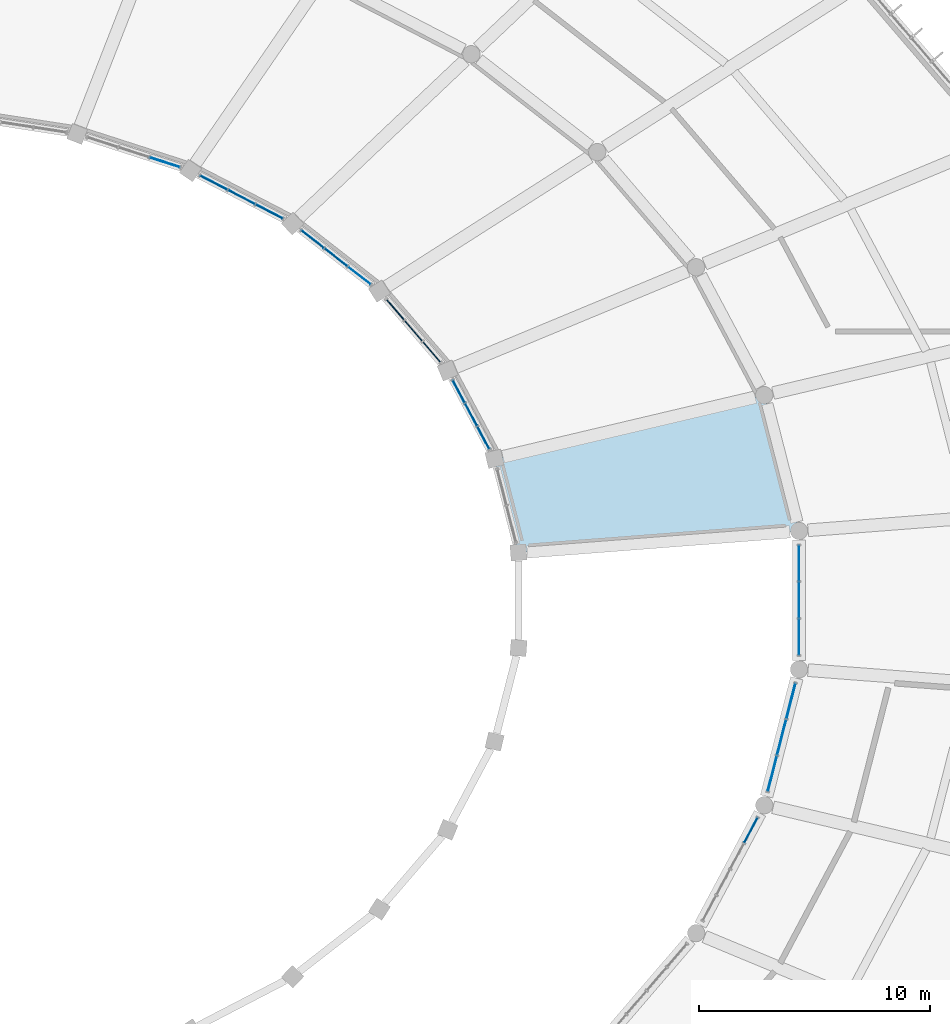
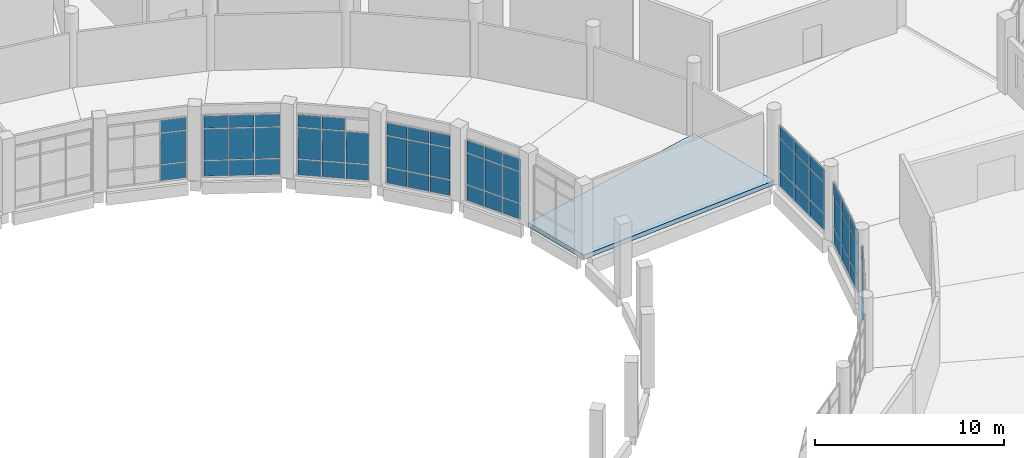
# One storey, part 98 of 179: 59 plates, 1 slab, 8 elements without a shape of their own.
"""IFC4 building model written with IfcOpenShell, lengths in metres."""

from ifc_helpers import new_model, si_unit, direction, frame, origin, origin_2d, place, context, subcontext, project, spatial, polyline, rectangle, outline, extrude, material, layer, layer_set, type_object, element, aggregate, save


model = new_model("IFC4")

# Units and contexts
model_context = context("Model", 3, precision=1e-05, world=origin(), true_north=direction((0.0, 1.0)))
body_context = subcontext(model_context, "Body", "Model", "MODEL_VIEW")
ifc_project = project(units=[si_unit("LENGTHUNIT", "METRE"), si_unit("AREAUNIT", "SQUARE_METRE"), si_unit("VOLUMEUNIT", "CUBIC_METRE"), si_unit("PLANEANGLEUNIT", "RADIAN"), si_unit("MASSUNIT", "GRAM", prefix="KILO")], contexts=[model_context])

# Site, building, storey
site_placement = place(None, origin())
site = spatial("IfcSite", under=ifc_project, at=site_placement, CompositionType="ELEMENT")
building_placement = place(site_placement, origin())
building = spatial("IfcBuilding", under=site, at=building_placement, Name="Corvandel Quay Wholesale Market", CompositionType="ELEMENT")
storey_placement = place(building_placement, frame((0.0, 0.0, 6.0)))
storey = spatial("IfcBuildingStorey", under=building, at=storey_placement, Name="L01", CompositionType="ELEMENT", Elevation=6.0)

# Curtain wall, plates
ifc_material_1 = material(Name="Bronze anodised aluminium and low-E insulated glazing", Category="aluminium")
ifc_layer_1 = layer(ifc_material_1, 0.162109375)
ifc_layer_set_1 = layer_set([ifc_layer_1], Name="Bronze anodised aluminium and low-E insulated glazing")
curtain_wall_type_1 = type_object("IfcCurtainWallType", Name="Stick Curtain Wall System CW16 H4440", PredefinedType="NOTDEFINED", material=ifc_layer_set_1)
curtain_wall_1_placement = place(storey_placement, origin())
curtain_wall_1 = element("IfcCurtainWall", 1, at=curtain_wall_1_placement, inside=storey, type_object=curtain_wall_type_1, Name="Curtain Wall CW-0004", PredefinedType="NOTDEFINED")
ifc_material_2 = material(Name="Solar-control low-E insulated glazing", Category="glass")
ifc_layer_2 = layer(ifc_material_2, 0.033935546875)
ifc_layer_set_2 = layer_set([ifc_layer_2], Name="Solar-control low-E insulated glazing")
plate_type_1 = type_object("IfcPlateType", Name="Acoustic Laminated Vision Panel PN02 34mm", PredefinedType="CURTAIN_PANEL", material=ifc_layer_set_2)
plate_1_placement = place(storey_placement, frame((139.478759765625, 49.03271484375, 0.02978515625), z_axis=(0.0, 0.0, 1.0), x_axis=(-0.469933808689, 0.882701657102, 0.0)))
plate_1 = element("IfcPlate", 2, at=plate_1_placement, type_object=plate_type_1, Name="Glazing Panel CW-0004-P00-0", PredefinedType="CURTAIN_PANEL", context=body_context, shape_type="SweptSolid", body=[
    extrude(rectangle(XDim=1.071533203125, YDim=0.033935546875, at=origin_2d()), origin(), (0.0, 0.0, 1.0), 0.989990234375),
])
plate_2_placement = place(storey_placement, frame((139.478759765625, 49.03271484375, 1.080078125), z_axis=(0.0, 0.0, 1.0), x_axis=(-0.469933808689, 0.882701657102, 0.0)))
plate_2 = element("IfcPlate", 3, at=plate_2_placement, type_object=plate_type_1, Name="Glazing Panel CW-0004-P00-1", PredefinedType="CURTAIN_PANEL", context=body_context, shape_type="SweptSolid", body=[
    extrude(rectangle(XDim=1.071533203125, YDim=0.033935546875, at=origin_2d()), origin(), (0.0, 0.0, 1.0), 1.989990234375),
])
plate_3_placement = place(storey_placement, frame((138.944580078125, 50.035888671875, 0.02978515625), z_axis=(0.0, 0.0, 1.0), x_axis=(-0.469933808689, 0.882701657102, 0.0)))
plate_3 = element("IfcPlate", 4, at=plate_3_placement, type_object=plate_type_1, Name="Glazing Panel CW-0004-P01-0", PredefinedType="CURTAIN_PANEL", context=body_context, shape_type="SweptSolid", body=[
    extrude(rectangle(XDim=1.071533203125, YDim=0.033935546875, at=origin_2d()), origin(), (0.0, 0.0, 1.0), 0.989990234375),
])
plate_4_placement = place(storey_placement, frame((138.944580078125, 50.035888671875, 1.080078125), z_axis=(0.0, 0.0, 1.0), x_axis=(-0.469933808689, 0.882701657102, 0.0)))
plate_4 = element("IfcPlate", 5, at=plate_4_placement, type_object=plate_type_1, Name="Glazing Panel CW-0004-P01-1", PredefinedType="CURTAIN_PANEL", context=body_context, shape_type="SweptSolid", body=[
    extrude(rectangle(XDim=1.071533203125, YDim=0.033935546875, at=origin_2d()), origin(), (0.0, 0.0, 1.0), 1.989990234375),
])
plate_5_placement = place(storey_placement, frame((138.410400390625, 51.039306640625, 0.02978515625), z_axis=(0.0, 0.0, 1.0), x_axis=(-0.469933808689, 0.882701657102, 0.0)))
plate_5 = element("IfcPlate", 6, at=plate_5_placement, type_object=plate_type_1, Name="Glazing Panel CW-0004-P02-0", PredefinedType="CURTAIN_PANEL", context=body_context, shape_type="SweptSolid", body=[
    extrude(rectangle(XDim=1.071533203125, YDim=0.033935546875, at=origin_2d()), origin(), (0.0, 0.0, 1.0), 0.989990234375),
])
plate_6_placement = place(storey_placement, frame((138.410400390625, 51.039306640625, 1.080078125), z_axis=(0.0, 0.0, 1.0), x_axis=(-0.469933808689, 0.882701657102, 0.0)))
plate_6 = element("IfcPlate", 7, at=plate_6_placement, type_object=plate_type_1, Name="Glazing Panel CW-0004-P02-1", PredefinedType="CURTAIN_PANEL", context=body_context, shape_type="SweptSolid", body=[
    extrude(rectangle(XDim=1.071533203125, YDim=0.033935546875, at=origin_2d()), origin(), (0.0, 0.0, 1.0), 1.989990234375),
])

ifc_layer_3 = layer(ifc_material_1, 0.174072265625)
ifc_layer_set_3 = layer_set([ifc_layer_3], Name="Bronze anodised aluminium and low-E insulated glazing")
curtain_wall_type_2 = type_object("IfcCurtainWallType", Name="Stick Curtain Wall System CW17 H4530", PredefinedType="NOTDEFINED", material=ifc_layer_set_3)
curtain_wall_2_placement = place(storey_placement, origin())
curtain_wall_2 = element("IfcCurtainWall", 8, at=curtain_wall_2_placement, inside=storey, type_object=curtain_wall_type_2, Name="Curtain Wall CW-0007", PredefinedType="NOTDEFINED")
plate_7_placement = place(storey_placement, frame((137.234619140625, 52.7529296875, 0.02978515625), z_axis=(0.0, 0.0, 1.0), x_axis=(-0.651568967347, 0.758589401976, 0.0)))
plate_7 = element("IfcPlate", 9, at=plate_7_placement, type_object=plate_type_1, Name="Glazing Panel CW-0007-P00-0", PredefinedType="CURTAIN_PANEL", context=body_context, shape_type="SweptSolid", body=[
    extrude(rectangle(XDim=1.139892578125, YDim=0.033935546875, at=origin_2d()), origin(), (0.0, 0.0, 1.0), 0.989990234375),
])
plate_8_placement = place(storey_placement, frame((137.234619140625, 52.7529296875, 1.080078125), z_axis=(0.0, 0.0, 1.0), x_axis=(-0.651568967347, 0.758589401976, 0.0)))
plate_8 = element("IfcPlate", 10, at=plate_8_placement, type_object=plate_type_1, Name="Glazing Panel CW-0007-P00-1", PredefinedType="CURTAIN_PANEL", context=body_context, shape_type="SweptSolid", body=[
    extrude(rectangle(XDim=1.139892578125, YDim=0.033935546875, at=origin_2d()), origin(), (0.0, 0.0, 1.0), 1.989990234375),
])
plate_9_placement = place(storey_placement, frame((136.449462890625, 53.6669921875, 0.02978515625), z_axis=(0.0, 0.0, 1.0), x_axis=(-0.651568967347, 0.758589401976, 0.0)))
plate_9 = element("IfcPlate", 11, at=plate_9_placement, type_object=plate_type_1, Name="Glazing Panel CW-0007-P01-0", PredefinedType="CURTAIN_PANEL", context=body_context, shape_type="SweptSolid", body=[
    extrude(rectangle(XDim=1.139892578125, YDim=0.033935546875, at=origin_2d()), origin(), (0.0, 0.0, 1.0), 0.989990234375),
])
plate_10_placement = place(storey_placement, frame((136.449462890625, 53.6669921875, 1.080078125), z_axis=(0.0, 0.0, 1.0), x_axis=(-0.651568967347, 0.758589401976, 0.0)))
plate_10 = element("IfcPlate", 12, at=plate_10_placement, type_object=plate_type_1, Name="Glazing Panel CW-0007-P01-1", PredefinedType="CURTAIN_PANEL", context=body_context, shape_type="SweptSolid", body=[
    extrude(rectangle(XDim=1.139892578125, YDim=0.033935546875, at=origin_2d()), origin(), (0.0, 0.0, 1.0), 1.989990234375),
])
plate_11_placement = place(storey_placement, frame((135.664306640625, 54.5810546875, 0.02978515625), z_axis=(0.0, 0.0, 1.0), x_axis=(-0.651568967347, 0.758589401976, 0.0)))
plate_11 = element("IfcPlate", 13, at=plate_11_placement, type_object=plate_type_1, Name="Glazing Panel CW-0007-P02-0", PredefinedType="CURTAIN_PANEL", context=body_context, shape_type="SweptSolid", body=[
    extrude(rectangle(XDim=1.139892578125, YDim=0.033935546875, at=origin_2d()), origin(), (0.0, 0.0, 1.0), 0.989990234375),
])
plate_12_placement = place(storey_placement, frame((135.664306640625, 54.5810546875, 1.080078125), z_axis=(0.0, 0.0, 1.0), x_axis=(-0.651568967347, 0.758589401976, 0.0)))
plate_12 = element("IfcPlate", 14, at=plate_12_placement, type_object=plate_type_1, Name="Glazing Panel CW-0007-P02-1", PredefinedType="CURTAIN_PANEL", context=body_context, shape_type="SweptSolid", body=[
    extrude(rectangle(XDim=1.139892578125, YDim=0.033935546875, at=origin_2d()), origin(), (0.0, 0.0, 1.0), 1.989990234375),
])

ifc_layer_4 = layer(ifc_material_1, 0.18603515625)
ifc_layer_set_4 = layer_set([ifc_layer_4], Name="Bronze anodised aluminium and low-E insulated glazing")
curtain_wall_type_3 = type_object("IfcCurtainWallType", Name="Stick Curtain Wall System CW18 H4620", PredefinedType="NOTDEFINED", material=ifc_layer_set_4)
curtain_wall_3_placement = place(storey_placement, origin())
curtain_wall_3 = element("IfcCurtainWall", 15, at=curtain_wall_3_placement, inside=storey, type_object=curtain_wall_type_3, Name="Curtain Wall CW-0010", PredefinedType="NOTDEFINED")
plate_13_placement = place(storey_placement, frame((134.10302734375, 56.062744140625, 0.02978515625), z_axis=(0.0, 0.0, 1.0), x_axis=(-0.789405615633, 0.613871952452, 0.0)))
plate_13 = element("IfcPlate", 16, at=plate_13_placement, type_object=plate_type_1, Name="Glazing Panel CW-0010-P00-0", PredefinedType="CURTAIN_PANEL", context=body_context, shape_type="SweptSolid", body=[
    extrude(rectangle(XDim=1.216552734375, YDim=0.033935546875, at=origin_2d()), origin(), (0.0, 0.0, 1.0), 0.989990234375),
])
plate_14_placement = place(storey_placement, frame((134.10302734375, 56.062744140625, 1.080078125), z_axis=(0.0, 0.0, 1.0), x_axis=(-0.789405615633, 0.613871952452, 0.0)))
plate_14 = element("IfcPlate", 17, at=plate_14_placement, type_object=plate_type_1, Name="Glazing Panel CW-0010-P00-1", PredefinedType="CURTAIN_PANEL", context=body_context, shape_type="SweptSolid", body=[
    extrude(rectangle(XDim=1.216552734375, YDim=0.033935546875, at=origin_2d()), origin(), (0.0, 0.0, 1.0), 1.989990234375),
])
plate_15_placement = place(storey_placement, frame((133.091552734375, 56.849609375, 0.02978515625), z_axis=(0.0, 0.0, 1.0), x_axis=(-0.789405615633, 0.613871952452, 0.0)))
plate_15 = element("IfcPlate", 18, at=plate_15_placement, type_object=plate_type_1, Name="Glazing Panel CW-0010-P01-0", PredefinedType="CURTAIN_PANEL", context=body_context, shape_type="SweptSolid", body=[
    extrude(rectangle(XDim=1.216552734375, YDim=0.033935546875, at=origin_2d()), origin(), (0.0, 0.0, 1.0), 0.989990234375),
])
plate_16_placement = place(storey_placement, frame((133.091552734375, 56.849609375, 1.080078125), z_axis=(0.0, 0.0, 1.0), x_axis=(-0.789405615633, 0.613871952452, 0.0)))
plate_16 = element("IfcPlate", 19, at=plate_16_placement, type_object=plate_type_1, Name="Glazing Panel CW-0010-P01-1", PredefinedType="CURTAIN_PANEL", context=body_context, shape_type="SweptSolid", body=[
    extrude(rectangle(XDim=1.216552734375, YDim=0.033935546875, at=origin_2d()), origin(), (0.0, 0.0, 1.0), 1.989990234375),
])
plate_17_placement = place(storey_placement, frame((132.079833984375, 57.63623046875, 0.02978515625), z_axis=(0.0, 0.0, 1.0), x_axis=(-0.789405615633, 0.613871952452, 0.0)))
plate_17 = element("IfcPlate", 20, at=plate_17_placement, type_object=plate_type_1, Name="Glazing Panel CW-0010-P02-0", PredefinedType="CURTAIN_PANEL", context=body_context, shape_type="SweptSolid", body=[
    extrude(rectangle(XDim=1.216552734375, YDim=0.033935546875, at=origin_2d()), origin(), (0.0, 0.0, 1.0), 0.989990234375),
])
plate_18_placement = place(storey_placement, frame((132.079833984375, 57.63623046875, 1.080078125), z_axis=(0.0, 0.0, 1.0), x_axis=(-0.789405615633, 0.613871952452, 0.0)))
plate_18 = element("IfcPlate", 21, at=plate_18_placement, type_object=plate_type_1, Name="Glazing Panel CW-0010-P02-1", PredefinedType="CURTAIN_PANEL", context=body_context, shape_type="SweptSolid", body=[
    extrude(rectangle(XDim=1.216552734375, YDim=0.033935546875, at=origin_2d()), origin(), (0.0, 0.0, 1.0), 1.989990234375),
])

ifc_layer_5 = layer(ifc_material_1, 0.197998046875)
ifc_layer_set_5 = layer_set([ifc_layer_5], Name="Bronze anodised aluminium and low-E insulated glazing")
curtain_wall_type_4 = type_object("IfcCurtainWallType", Name="Stick Curtain Wall System CW19 H4710", PredefinedType="NOTDEFINED", material=ifc_layer_set_5)
curtain_wall_4_placement = place(storey_placement, origin())
curtain_wall_4 = element("IfcCurtainWall", 22, at=curtain_wall_4_placement, inside=storey, type_object=curtain_wall_type_4, Name="Curtain Wall CW-0014", PredefinedType="NOTDEFINED")
plate_19_placement = place(storey_placement, frame((130.201904296875, 58.83642578125, 0.02978515625), z_axis=(0.0, 0.0, 1.0), x_axis=(-0.887332978338, 0.461129250378, 0.0)))
plate_19 = element("IfcPlate", 23, at=plate_19_placement, type_object=plate_type_1, Name="Glazing Panel CW-0014-P00-0", PredefinedType="CURTAIN_PANEL", context=body_context, shape_type="SweptSolid", body=[
    extrude(rectangle(XDim=1.28955078125, YDim=0.033935546875, at=origin_2d()), origin(), (0.0, 0.0, 1.0), 0.989990234375),
])
plate_20_placement = place(storey_placement, frame((130.201904296875, 58.83642578125, 1.080078125), z_axis=(0.0, 0.0, 1.0), x_axis=(-0.887332978338, 0.461129250378, 0.0)))
plate_20 = element("IfcPlate", 24, at=plate_20_placement, type_object=plate_type_1, Name="Glazing Panel CW-0014-P00-1", PredefinedType="CURTAIN_PANEL", context=body_context, shape_type="SweptSolid", body=[
    extrude(rectangle(XDim=1.28955078125, YDim=0.033935546875, at=origin_2d()), origin(), (0.0, 0.0, 1.0), 1.989990234375),
])
plate_21_placement = place(storey_placement, frame((129.0, 59.4609375, 0.02978515625), z_axis=(0.0, 0.0, 1.0), x_axis=(-0.887332978338, 0.461129250378, 0.0)))
plate_21 = element("IfcPlate", 25, at=plate_21_placement, type_object=plate_type_1, Name="Glazing Panel CW-0014-P01-0", PredefinedType="CURTAIN_PANEL", context=body_context, shape_type="SweptSolid", body=[
    extrude(rectangle(XDim=1.28955078125, YDim=0.033935546875, at=origin_2d()), origin(), (0.0, 0.0, 1.0), 0.989990234375),
])
plate_22_placement = place(storey_placement, frame((129.0, 59.4609375, 1.080078125), z_axis=(0.0, 0.0, 1.0), x_axis=(-0.887332978338, 0.461129250378, 0.0)))
plate_22 = element("IfcPlate", 26, at=plate_22_placement, type_object=plate_type_1, Name="Glazing Panel CW-0014-P01-1", PredefinedType="CURTAIN_PANEL", context=body_context, shape_type="SweptSolid", body=[
    extrude(rectangle(XDim=1.28955078125, YDim=0.033935546875, at=origin_2d()), origin(), (0.0, 0.0, 1.0), 1.989990234375),
])
plate_23_placement = place(storey_placement, frame((127.798095703125, 60.085693359375, 0.02978515625), z_axis=(0.0, 0.0, 1.0), x_axis=(-0.887332978338, 0.461129250378, 0.0)))
plate_23 = element("IfcPlate", 27, at=plate_23_placement, type_object=plate_type_1, Name="Glazing Panel CW-0014-P02-0", PredefinedType="CURTAIN_PANEL", context=body_context, shape_type="SweptSolid", body=[
    extrude(rectangle(XDim=1.28955078125, YDim=0.033935546875, at=origin_2d()), origin(), (0.0, 0.0, 1.0), 0.989990234375),
])
plate_24_placement = place(storey_placement, frame((127.798095703125, 60.085693359375, 1.080078125), z_axis=(0.0, 0.0, 1.0), x_axis=(-0.887332978338, 0.461129250378, 0.0)))
plate_24 = element("IfcPlate", 28, at=plate_24_placement, type_object=plate_type_1, Name="Glazing Panel CW-0014-P02-1", PredefinedType="CURTAIN_PANEL", context=body_context, shape_type="SweptSolid", body=[
    extrude(rectangle(XDim=1.28955078125, YDim=0.033935546875, at=origin_2d()), origin(), (0.0, 0.0, 1.0), 1.989990234375),
])

ifc_layer_6 = layer(ifc_material_1, 0.14990234375)
ifc_layer_set_6 = layer_set([ifc_layer_6], Name="Bronze anodised aluminium and low-E insulated glazing")
curtain_wall_type_5 = type_object("IfcCurtainWallType", Name="Stick Curtain Wall System CW20 H4800", PredefinedType="NOTDEFINED", material=ifc_layer_set_6)
curtain_wall_5_placement = place(storey_placement, origin())
curtain_wall_5 = element("IfcCurtainWall", 29, at=curtain_wall_5_placement, inside=storey, type_object=curtain_wall_type_5, Name="Curtain Wall CW-0016", PredefinedType="NOTDEFINED")
plate_25_placement = place(storey_placement, frame((125.67822265625, 60.968017578125, 0.02978515625), z_axis=(0.0, 0.0, 1.0), x_axis=(-0.951808747363, 0.306692204733, 0.0)))
plate_25 = element("IfcPlate", 30, at=plate_25_placement, type_object=plate_type_1, Name="Glazing Panel CW-0016-P00-0", PredefinedType="CURTAIN_PANEL", context=body_context, shape_type="SweptSolid", body=[
    extrude(rectangle(XDim=1.348876953125, YDim=0.033935546875, at=origin_2d()), origin(), (0.0, 0.0, 1.0), 0.989990234375),
])
plate_26_placement = place(storey_placement, frame((125.67822265625, 60.968017578125, 1.080078125), z_axis=(0.0, 0.0, 1.0), x_axis=(-0.951808747363, 0.306692204733, 0.0)))
plate_26 = element("IfcPlate", 31, at=plate_26_placement, type_object=plate_type_1, Name="Glazing Panel CW-0016-P00-1", PredefinedType="CURTAIN_PANEL", context=body_context, shape_type="SweptSolid", body=[
    extrude(rectangle(XDim=1.348876953125, YDim=0.033935546875, at=origin_2d()), origin(), (0.0, 0.0, 1.0), 1.989990234375),
])

# Plate
ifc_layer_7 = layer(ifc_material_2, 0.0400390625)
ifc_layer_set_7 = layer_set([ifc_layer_7], Name="Solar-control low-E insulated glazing")
plate_type_2 = type_object("IfcPlateType", Name="Ceramic Fritted Spandrel Panel PN03 40mm", PredefinedType="CURTAIN_PANEL", material=ifc_layer_set_7)
plate_27_placement = place(storey_placement, frame((139.478759765625, 49.03271484375, 3.1298828125), z_axis=(0.0, 0.0, 1.0), x_axis=(-0.469933808689, 0.882701657102, 0.0)))
plate_27 = element("IfcPlate", 32, at=plate_27_placement, type_object=plate_type_2, Name="Glazing Panel CW-0004-P00-2", PredefinedType="CURTAIN_PANEL", context=body_context, shape_type="SweptSolid", body=[
    extrude(rectangle(XDim=1.071533203125, YDim=0.0400390625, at=origin_2d()), origin(), (0.0, 0.0, 1.0), 0.7900390625),
])

plate_28_placement = place(storey_placement, frame((138.944580078125, 50.035888671875, 3.1298828125), z_axis=(0.0, 0.0, 1.0), x_axis=(-0.469933808689, 0.882701657102, 0.0)))
plate_28 = element("IfcPlate", 33, at=plate_28_placement, type_object=plate_type_2, Name="Glazing Panel CW-0004-P01-2", PredefinedType="CURTAIN_PANEL", context=body_context, shape_type="SweptSolid", body=[
    extrude(rectangle(XDim=1.071533203125, YDim=0.0400390625, at=origin_2d()), origin(), (0.0, 0.0, 1.0), 0.7900390625),
])

plate_29_placement = place(storey_placement, frame((138.410400390625, 51.039306640625, 3.1298828125), z_axis=(0.0, 0.0, 1.0), x_axis=(-0.469933808689, 0.882701657102, 0.0)))
plate_29 = element("IfcPlate", 34, at=plate_29_placement, type_object=plate_type_2, Name="Glazing Panel CW-0004-P02-2", PredefinedType="CURTAIN_PANEL", context=body_context, shape_type="SweptSolid", body=[
    extrude(rectangle(XDim=1.071533203125, YDim=0.0400390625, at=origin_2d()), origin(), (0.0, 0.0, 1.0), 0.7900390625),
])

aggregate(curtain_wall_1, [plate_1, plate_2, plate_27, plate_3, plate_4, plate_28, plate_5, plate_6, plate_29])

plate_30_placement = place(storey_placement, frame((137.234619140625, 52.7529296875, 3.1298828125), z_axis=(0.0, 0.0, 1.0), x_axis=(-0.651568967347, 0.758589401976, 0.0)))
plate_30 = element("IfcPlate", 35, at=plate_30_placement, type_object=plate_type_2, Name="Glazing Panel CW-0007-P00-2", PredefinedType="CURTAIN_PANEL", context=body_context, shape_type="SweptSolid", body=[
    extrude(rectangle(XDim=1.139892578125, YDim=0.0400390625, at=origin_2d()), origin(), (0.0, 0.0, 1.0), 0.7900390625),
])

plate_31_placement = place(storey_placement, frame((136.449462890625, 53.6669921875, 3.1298828125), z_axis=(0.0, 0.0, 1.0), x_axis=(-0.651568967347, 0.758589401976, 0.0)))
plate_31 = element("IfcPlate", 36, at=plate_31_placement, type_object=plate_type_2, Name="Glazing Panel CW-0007-P01-2", PredefinedType="CURTAIN_PANEL", context=body_context, shape_type="SweptSolid", body=[
    extrude(rectangle(XDim=1.139892578125, YDim=0.0400390625, at=origin_2d()), origin(), (0.0, 0.0, 1.0), 0.7900390625),
])

plate_32_placement = place(storey_placement, frame((135.664306640625, 54.5810546875, 3.1298828125), z_axis=(0.0, 0.0, 1.0), x_axis=(-0.651568967347, 0.758589401976, 0.0)))
plate_32 = element("IfcPlate", 37, at=plate_32_placement, type_object=plate_type_2, Name="Glazing Panel CW-0007-P02-2", PredefinedType="CURTAIN_PANEL", context=body_context, shape_type="SweptSolid", body=[
    extrude(rectangle(XDim=1.139892578125, YDim=0.0400390625, at=origin_2d()), origin(), (0.0, 0.0, 1.0), 0.7900390625),
])

aggregate(curtain_wall_2, [plate_7, plate_8, plate_30, plate_9, plate_10, plate_31, plate_11, plate_12, plate_32])

plate_33_placement = place(storey_placement, frame((133.091552734375, 56.849609375, 3.1298828125), z_axis=(0.0, 0.0, 1.0), x_axis=(-0.789405615633, 0.613871952452, 0.0)))
plate_33 = element("IfcPlate", 38, at=plate_33_placement, type_object=plate_type_2, Name="Glazing Panel CW-0010-P01-2", PredefinedType="CURTAIN_PANEL", context=body_context, shape_type="SweptSolid", body=[
    extrude(rectangle(XDim=1.216552734375, YDim=0.0400390625, at=origin_2d()), origin(), (0.0, 0.0, 1.0), 0.7900390625),
])

plate_34_placement = place(storey_placement, frame((132.079833984375, 57.63623046875, 3.1298828125), z_axis=(0.0, 0.0, 1.0), x_axis=(-0.789405615633, 0.613871952452, 0.0)))
plate_34 = element("IfcPlate", 39, at=plate_34_placement, type_object=plate_type_2, Name="Glazing Panel CW-0010-P02-2", PredefinedType="CURTAIN_PANEL", context=body_context, shape_type="SweptSolid", body=[
    extrude(rectangle(XDim=1.216552734375, YDim=0.0400390625, at=origin_2d()), origin(), (0.0, 0.0, 1.0), 0.7900390625),
])

aggregate(curtain_wall_3, [plate_13, plate_14, plate_15, plate_16, plate_33, plate_17, plate_18, plate_34])

plate_35_placement = place(storey_placement, frame((130.201904296875, 58.83642578125, 3.1298828125), z_axis=(0.0, 0.0, 1.0), x_axis=(-0.887332978338, 0.461129250378, 0.0)))
plate_35 = element("IfcPlate", 40, at=plate_35_placement, type_object=plate_type_2, Name="Glazing Panel CW-0014-P00-2", PredefinedType="CURTAIN_PANEL", context=body_context, shape_type="SweptSolid", body=[
    extrude(rectangle(XDim=1.28955078125, YDim=0.0400390625, at=origin_2d()), origin(), (0.0, 0.0, 1.0), 0.7900390625),
])

plate_36_placement = place(storey_placement, frame((129.0, 59.4609375, 3.1298828125), z_axis=(0.0, 0.0, 1.0), x_axis=(-0.887332978338, 0.461129250378, 0.0)))
plate_36 = element("IfcPlate", 41, at=plate_36_placement, type_object=plate_type_2, Name="Glazing Panel CW-0014-P01-2", PredefinedType="CURTAIN_PANEL", context=body_context, shape_type="SweptSolid", body=[
    extrude(rectangle(XDim=1.28955078125, YDim=0.0400390625, at=origin_2d()), origin(), (0.0, 0.0, 1.0), 0.7900390625),
])

plate_37_placement = place(storey_placement, frame((127.798095703125, 60.085693359375, 3.1298828125), z_axis=(0.0, 0.0, 1.0), x_axis=(-0.887332978338, 0.461129250378, 0.0)))
plate_37 = element("IfcPlate", 42, at=plate_37_placement, type_object=plate_type_2, Name="Glazing Panel CW-0014-P02-2", PredefinedType="CURTAIN_PANEL", context=body_context, shape_type="SweptSolid", body=[
    extrude(rectangle(XDim=1.28955078125, YDim=0.0400390625, at=origin_2d()), origin(), (0.0, 0.0, 1.0), 0.7900390625),
])

aggregate(curtain_wall_4, [plate_19, plate_20, plate_35, plate_21, plate_22, plate_36, plate_23, plate_24, plate_37])

plate_38_placement = place(storey_placement, frame((125.67822265625, 60.968017578125, 3.1298828125), z_axis=(0.0, 0.0, 1.0), x_axis=(-0.951808747363, 0.306692204733, 0.0)))
plate_38 = element("IfcPlate", 43, at=plate_38_placement, type_object=plate_type_2, Name="Glazing Panel CW-0016-P00-2", PredefinedType="CURTAIN_PANEL", context=body_context, shape_type="SweptSolid", body=[
    extrude(rectangle(XDim=1.348876953125, YDim=0.0400390625, at=origin_2d()), origin(), (0.0, 0.0, 1.0), 0.7900390625),
])

aggregate(curtain_wall_5, [plate_25, plate_26, plate_38])

# Curtain wall, plate
curtain_wall_6_placement = place(storey_placement, origin())
curtain_wall_6 = element("IfcCurtainWall", 44, at=curtain_wall_6_placement, inside=storey, type_object=curtain_wall_type_5, Name="Curtain Wall CW-0087", PredefinedType="NOTDEFINED")
plate_39_placement = place(storey_placement, frame((151.064697265625, 32.0283203125, 3.1298828125), z_axis=(0.0, 0.0, 1.0), x_axis=(0.470087862033, 0.882619624736, 0.0)))
plate_39 = element("IfcPlate", 45, at=plate_39_placement, type_object=plate_type_2, Name="Glazing Panel CW-0087-P03-2", PredefinedType="CURTAIN_PANEL", context=body_context, shape_type="SweptSolid", body=[
    extrude(rectangle(XDim=1.20458984375, YDim=0.0400390625, at=origin_2d()), origin(), (0.0, 0.0, 1.0), 0.7900390625),
])

# Curtain wall, plates
ifc_layer_8 = layer(ifc_material_1, 0.162109375)
ifc_layer_set_8 = layer_set([ifc_layer_8], Name="Bronze anodised aluminium and low-E insulated glazing")
curtain_wall_type_6 = type_object("IfcCurtainWallType", Name="Stick Curtain Wall System CW21 H4890", PredefinedType="NOTDEFINED", material=ifc_layer_set_8)
curtain_wall_7_placement = place(storey_placement, origin())
curtain_wall_7 = element("IfcCurtainWall", 46, at=curtain_wall_7_placement, inside=storey, type_object=curtain_wall_type_6, Name="Curtain Wall CW-0089", PredefinedType="NOTDEFINED")
plate_40_placement = place(storey_placement, frame((151.9951171875, 34.486083984375, 3.1298828125), z_axis=(0.0, 0.0, 1.0), x_axis=(0.247844544316, 0.968799815159, 0.0)))
plate_40 = element("IfcPlate", 47, at=plate_40_placement, type_object=plate_type_2, Name="Glazing Panel CW-0089-P00-2", PredefinedType="CURTAIN_PANEL", context=body_context, shape_type="SweptSolid", body=[
    extrude(rectangle(XDim=1.55908203125, YDim=0.0400390625, at=origin_2d()), origin(), (0.0, 0.0, 1.0), 0.7900390625),
])
plate_41_placement = place(storey_placement, frame((152.3974609375, 36.0595703125, 3.1298828125), z_axis=(0.0, 0.0, 1.0), x_axis=(0.247844544316, 0.968799815159, 0.0)))
plate_41 = element("IfcPlate", 48, at=plate_41_placement, type_object=plate_type_2, Name="Glazing Panel CW-0089-P01-2", PredefinedType="CURTAIN_PANEL", context=body_context, shape_type="SweptSolid", body=[
    extrude(rectangle(XDim=1.55908203125, YDim=0.0400390625, at=origin_2d()), origin(), (0.0, 0.0, 1.0), 0.7900390625),
])
plate_42_placement = place(storey_placement, frame((152.800048828125, 37.633056640625, 3.1298828125), z_axis=(0.0, 0.0, 1.0), x_axis=(0.247844544316, 0.968799815159, 0.0)))
plate_42 = element("IfcPlate", 49, at=plate_42_placement, type_object=plate_type_2, Name="Glazing Panel CW-0089-P02-2", PredefinedType="CURTAIN_PANEL", context=body_context, shape_type="SweptSolid", body=[
    extrude(rectangle(XDim=1.55908203125, YDim=0.0400390625, at=origin_2d()), origin(), (0.0, 0.0, 1.0), 0.7900390625),
])

ifc_layer_9 = layer(ifc_material_1, 0.174072265625)
ifc_layer_set_9 = layer_set([ifc_layer_9], Name="Bronze anodised aluminium and low-E insulated glazing")
curtain_wall_type_7 = type_object("IfcCurtainWallType", Name="Stick Curtain Wall System CW22 H4980", PredefinedType="NOTDEFINED", material=ifc_layer_set_9)
curtain_wall_8_placement = place(storey_placement, origin())
curtain_wall_8 = element("IfcCurtainWall", 50, at=curtain_wall_8_placement, inside=storey, type_object=curtain_wall_type_7, Name="Curtain Wall CW-0090", PredefinedType="NOTDEFINED")
plate_43_placement = place(storey_placement, frame((153.14990234375, 40.400634765625, 3.1298828125), z_axis=(0.0, 0.0, 1.0), x_axis=(0.0, 1.0, 0.0)))
plate_43 = element("IfcPlate", 51, at=plate_43_placement, type_object=plate_type_2, Name="Glazing Panel CW-0090-P00-2", PredefinedType="CURTAIN_PANEL", context=body_context, shape_type="SweptSolid", body=[
    extrude(rectangle(XDim=1.5341796875, YDim=0.0400390625, at=origin_2d()), origin(), (0.0, 0.0, 1.0), 0.7900390625),
])
plate_44_placement = place(storey_placement, frame((153.14990234375, 42.0, 3.1298828125), z_axis=(0.0, 0.0, 1.0), x_axis=(0.0, 1.0, 0.0)))
plate_44 = element("IfcPlate", 52, at=plate_44_placement, type_object=plate_type_2, Name="Glazing Panel CW-0090-P01-2", PredefinedType="CURTAIN_PANEL", context=body_context, shape_type="SweptSolid", body=[
    extrude(rectangle(XDim=1.5341796875, YDim=0.0400390625, at=origin_2d()), origin(), (0.0, 0.0, 1.0), 0.7900390625),
])
plate_45_placement = place(storey_placement, frame((153.14990234375, 43.599365234375, 3.1298828125), z_axis=(0.0, 0.0, 1.0), x_axis=(0.0, 1.0, 0.0)))
plate_45 = element("IfcPlate", 53, at=plate_45_placement, type_object=plate_type_2, Name="Glazing Panel CW-0090-P02-2", PredefinedType="CURTAIN_PANEL", context=body_context, shape_type="SweptSolid", body=[
    extrude(rectangle(XDim=1.5341796875, YDim=0.0400390625, at=origin_2d()), origin(), (0.0, 0.0, 1.0), 0.7900390625),
])

# Slab
ifc_material_3 = material(Name="Concrete C40/50", Category="concrete")
ifc_layer_10 = layer(ifc_material_3, 0.280029296875)
ifc_layer_set_10 = layer_set([ifc_layer_10], Name="Concrete C40/50")
slab_type = type_object("IfcSlabType", Name="Composite Sorting Gallery Floor Slab 280", PredefinedType="FLOOR", material=ifc_layer_set_10)
slab_placement = place(storey_placement, frame((0.0, 0.0, -0.280029296875)))
element("IfcSlab", 54, at=slab_placement, inside=storey, type_object=slab_type, Name="Slab SLB-0005", PredefinedType="FLOOR", context=body_context, shape_type="SweptSolid", body=[
    extrude(outline(polyline([(141.0, 44.068115234375), (139.9619140625, 48.125), (151.64501953125, 50.882080078125), (153.14990234375, 44.9990234375), (141.0, 44.068115234375)])), origin(), (0.0, 0.0, 1.0), 0.280029296875),
])

# Plate
ifc_layer_11 = layer(ifc_material_2, 0.028076171875)
ifc_layer_set_11 = layer_set([ifc_layer_11], Name="Solar-control low-E insulated glazing")
plate_type_3 = type_object("IfcPlateType", Name="Double Low-E Vision Panel PN01 28mm", PredefinedType="CURTAIN_PANEL", material=ifc_layer_set_11)
plate_46_placement = place(storey_placement, frame((151.064697265625, 32.0283203125, 0.02978515625), z_axis=(0.0, 0.0, 1.0), x_axis=(0.470087862033, 0.882619624736, 0.0)))
plate_46 = element("IfcPlate", 55, at=plate_46_placement, type_object=plate_type_3, Name="Glazing Panel CW-0087-P03-0", PredefinedType="CURTAIN_PANEL", context=body_context, shape_type="SweptSolid", body=[
    extrude(rectangle(XDim=1.20458984375, YDim=0.028076171875, at=origin_2d()), origin(), (0.0, 0.0, 1.0), 0.989990234375),
])

plate_47_placement = place(storey_placement, frame((151.064697265625, 32.0283203125, 1.080078125), z_axis=(0.0, 0.0, 1.0), x_axis=(0.470087862033, 0.882619624736, 0.0)))
plate_47 = element("IfcPlate", 56, at=plate_47_placement, type_object=plate_type_3, Name="Glazing Panel CW-0087-P03-1", PredefinedType="CURTAIN_PANEL", context=body_context, shape_type="SweptSolid", body=[
    extrude(rectangle(XDim=1.20458984375, YDim=0.028076171875, at=origin_2d()), origin(), (0.0, 0.0, 1.0), 1.989990234375),
])

aggregate(curtain_wall_6, [plate_46, plate_47, plate_39])

plate_48_placement = place(storey_placement, frame((151.9951171875, 34.486083984375, 0.02978515625), z_axis=(0.0, 0.0, 1.0), x_axis=(0.247844544316, 0.968799815159, 0.0)))
plate_48 = element("IfcPlate", 57, at=plate_48_placement, type_object=plate_type_3, Name="Glazing Panel CW-0089-P00-0", PredefinedType="CURTAIN_PANEL", context=body_context, shape_type="SweptSolid", body=[
    extrude(rectangle(XDim=1.55908203125, YDim=0.028076171875, at=origin_2d()), origin(), (0.0, 0.0, 1.0), 0.989990234375),
])

plate_49_placement = place(storey_placement, frame((151.9951171875, 34.486083984375, 1.080078125), z_axis=(0.0, 0.0, 1.0), x_axis=(0.247844544316, 0.968799815159, 0.0)))
plate_49 = element("IfcPlate", 58, at=plate_49_placement, type_object=plate_type_3, Name="Glazing Panel CW-0089-P00-1", PredefinedType="CURTAIN_PANEL", context=body_context, shape_type="SweptSolid", body=[
    extrude(rectangle(XDim=1.55908203125, YDim=0.028076171875, at=origin_2d()), origin(), (0.0, 0.0, 1.0), 1.989990234375),
])

plate_50_placement = place(storey_placement, frame((152.3974609375, 36.0595703125, 0.02978515625), z_axis=(0.0, 0.0, 1.0), x_axis=(0.247844544316, 0.968799815159, 0.0)))
plate_50 = element("IfcPlate", 59, at=plate_50_placement, type_object=plate_type_3, Name="Glazing Panel CW-0089-P01-0", PredefinedType="CURTAIN_PANEL", context=body_context, shape_type="SweptSolid", body=[
    extrude(rectangle(XDim=1.55908203125, YDim=0.028076171875, at=origin_2d()), origin(), (0.0, 0.0, 1.0), 0.989990234375),
])

plate_51_placement = place(storey_placement, frame((152.3974609375, 36.0595703125, 1.080078125), z_axis=(0.0, 0.0, 1.0), x_axis=(0.247844544316, 0.968799815159, 0.0)))
plate_51 = element("IfcPlate", 60, at=plate_51_placement, type_object=plate_type_3, Name="Glazing Panel CW-0089-P01-1", PredefinedType="CURTAIN_PANEL", context=body_context, shape_type="SweptSolid", body=[
    extrude(rectangle(XDim=1.55908203125, YDim=0.028076171875, at=origin_2d()), origin(), (0.0, 0.0, 1.0), 1.989990234375),
])

plate_52_placement = place(storey_placement, frame((152.800048828125, 37.633056640625, 0.02978515625), z_axis=(0.0, 0.0, 1.0), x_axis=(0.247844544316, 0.968799815159, 0.0)))
plate_52 = element("IfcPlate", 61, at=plate_52_placement, type_object=plate_type_3, Name="Glazing Panel CW-0089-P02-0", PredefinedType="CURTAIN_PANEL", context=body_context, shape_type="SweptSolid", body=[
    extrude(rectangle(XDim=1.55908203125, YDim=0.028076171875, at=origin_2d()), origin(), (0.0, 0.0, 1.0), 0.989990234375),
])

plate_53_placement = place(storey_placement, frame((152.800048828125, 37.633056640625, 1.080078125), z_axis=(0.0, 0.0, 1.0), x_axis=(0.247844544316, 0.968799815159, 0.0)))
plate_53 = element("IfcPlate", 62, at=plate_53_placement, type_object=plate_type_3, Name="Glazing Panel CW-0089-P02-1", PredefinedType="CURTAIN_PANEL", context=body_context, shape_type="SweptSolid", body=[
    extrude(rectangle(XDim=1.55908203125, YDim=0.028076171875, at=origin_2d()), origin(), (0.0, 0.0, 1.0), 1.989990234375),
])

aggregate(curtain_wall_7, [plate_48, plate_49, plate_40, plate_50, plate_51, plate_41, plate_52, plate_53, plate_42])

plate_54_placement = place(storey_placement, frame((153.14990234375, 40.400634765625, 0.02978515625), z_axis=(0.0, 0.0, 1.0), x_axis=(0.0, 1.0, 0.0)))
plate_54 = element("IfcPlate", 63, at=plate_54_placement, type_object=plate_type_3, Name="Glazing Panel CW-0090-P00-0", PredefinedType="CURTAIN_PANEL", context=body_context, shape_type="SweptSolid", body=[
    extrude(rectangle(XDim=1.5341796875, YDim=0.028076171875, at=origin_2d()), origin(), (0.0, 0.0, 1.0), 0.989990234375),
])

plate_55_placement = place(storey_placement, frame((153.14990234375, 40.400634765625, 1.080078125), z_axis=(0.0, 0.0, 1.0), x_axis=(0.0, 1.0, 0.0)))
plate_55 = element("IfcPlate", 64, at=plate_55_placement, type_object=plate_type_3, Name="Glazing Panel CW-0090-P00-1", PredefinedType="CURTAIN_PANEL", context=body_context, shape_type="SweptSolid", body=[
    extrude(rectangle(XDim=1.5341796875, YDim=0.028076171875, at=origin_2d()), origin(), (0.0, 0.0, 1.0), 1.989990234375),
])

plate_56_placement = place(storey_placement, frame((153.14990234375, 42.0, 0.02978515625), z_axis=(0.0, 0.0, 1.0), x_axis=(0.0, 1.0, 0.0)))
plate_56 = element("IfcPlate", 65, at=plate_56_placement, type_object=plate_type_3, Name="Glazing Panel CW-0090-P01-0", PredefinedType="CURTAIN_PANEL", context=body_context, shape_type="SweptSolid", body=[
    extrude(rectangle(XDim=1.5341796875, YDim=0.028076171875, at=origin_2d()), origin(), (0.0, 0.0, 1.0), 0.989990234375),
])

plate_57_placement = place(storey_placement, frame((153.14990234375, 42.0, 1.080078125), z_axis=(0.0, 0.0, 1.0), x_axis=(0.0, 1.0, 0.0)))
plate_57 = element("IfcPlate", 66, at=plate_57_placement, type_object=plate_type_3, Name="Glazing Panel CW-0090-P01-1", PredefinedType="CURTAIN_PANEL", context=body_context, shape_type="SweptSolid", body=[
    extrude(rectangle(XDim=1.5341796875, YDim=0.028076171875, at=origin_2d()), origin(), (0.0, 0.0, 1.0), 1.989990234375),
])

plate_58_placement = place(storey_placement, frame((153.14990234375, 43.599365234375, 0.02978515625), z_axis=(0.0, 0.0, 1.0), x_axis=(0.0, 1.0, 0.0)))
plate_58 = element("IfcPlate", 67, at=plate_58_placement, type_object=plate_type_3, Name="Glazing Panel CW-0090-P02-0", PredefinedType="CURTAIN_PANEL", context=body_context, shape_type="SweptSolid", body=[
    extrude(rectangle(XDim=1.5341796875, YDim=0.028076171875, at=origin_2d()), origin(), (0.0, 0.0, 1.0), 0.989990234375),
])

plate_59_placement = place(storey_placement, frame((153.14990234375, 43.599365234375, 1.080078125), z_axis=(0.0, 0.0, 1.0), x_axis=(0.0, 1.0, 0.0)))
plate_59 = element("IfcPlate", 68, at=plate_59_placement, type_object=plate_type_3, Name="Glazing Panel CW-0090-P02-1", PredefinedType="CURTAIN_PANEL", context=body_context, shape_type="SweptSolid", body=[
    extrude(rectangle(XDim=1.5341796875, YDim=0.028076171875, at=origin_2d()), origin(), (0.0, 0.0, 1.0), 1.989990234375),
])

aggregate(curtain_wall_8, [plate_54, plate_55, plate_43, plate_56, plate_57, plate_44, plate_58, plate_59, plate_45])

save(model, "model.ifc")
